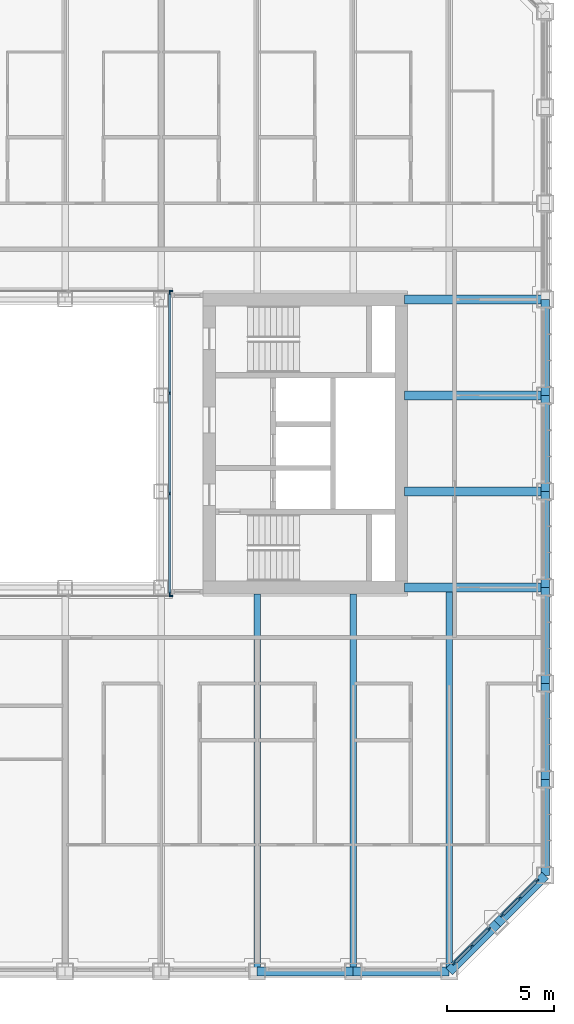
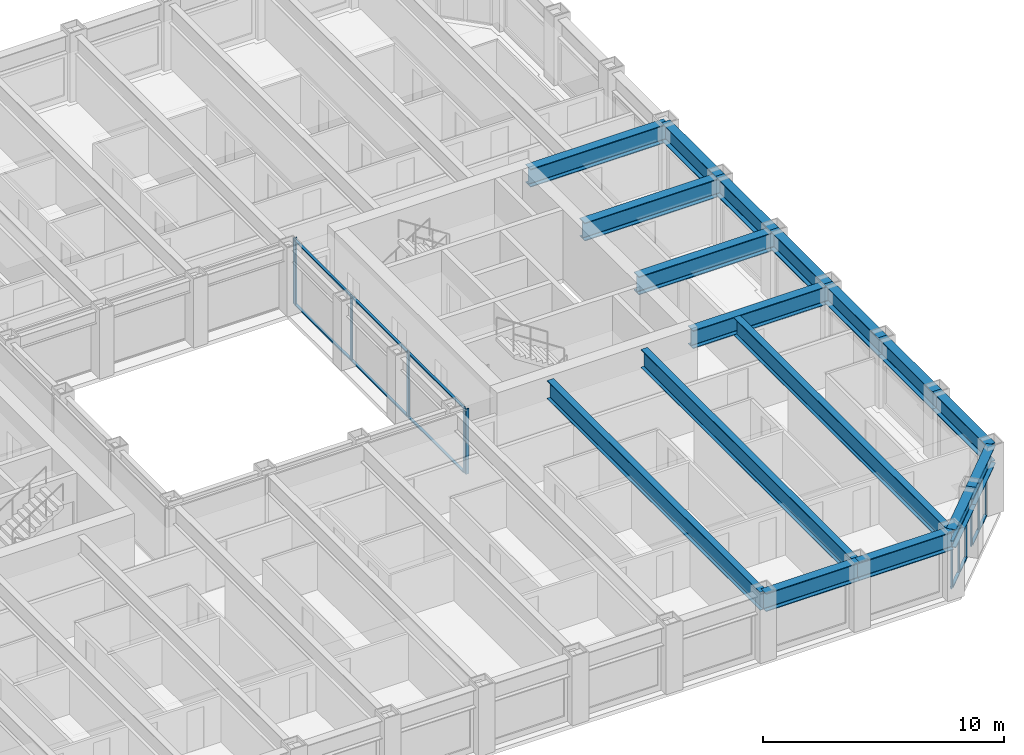
# One storey, part 5 of 21: 26 members, 17 beams, 5 elements without a shape of their own.
"""IFC4 building model written with IfcOpenShell, lengths in metres."""

from ifc_helpers import new_model, si_unit, direction, frame, origin, origin_2d, place, context, subcontext, project, spatial, rectangle, i_section, extrude, material, material_profile, profile_set, type_object, element, aggregate, save


model = new_model("IFC4")

# Units and contexts
model_context = context("Model", 3, precision=1e-05, world=origin(), true_north=direction((0.0, 1.0)))
body_context = subcontext(model_context, "Body", "Model", "MODEL_VIEW")
ifc_project = project(units=[si_unit("LENGTHUNIT", "METRE"), si_unit("AREAUNIT", "SQUARE_METRE"), si_unit("VOLUMEUNIT", "CUBIC_METRE"), si_unit("PLANEANGLEUNIT", "RADIAN"), si_unit("MASSUNIT", "GRAM", prefix="KILO")], contexts=[model_context])

# Site, building, storey
site_placement = place(None, origin())
site = spatial("IfcSite", under=ifc_project, at=site_placement, CompositionType="ELEMENT")
building_placement = place(site_placement, origin())
building = spatial("IfcBuilding", under=site, at=building_placement, Name="Msasa Ring Tower", CompositionType="ELEMENT")
storey_placement = place(building_placement, frame((0.0, 0.0, 72.0)))
storey = spatial("IfcBuildingStorey", under=building, at=storey_placement, Name="L18", CompositionType="ELEMENT", Elevation=72.0)

# Curtain wall, members
ifc_material_1 = material(Name="Aluminium curtain wall with clear glass", Category="aluminium")
curtain_wall_type_1 = type_object("IfcCurtainWallType", Name="CW-C CHAMFER CORNER CURTAIN WALL", PredefinedType="NOTDEFINED", material=ifc_material_1)
curtain_wall_1_placement = place(storey_placement, origin())
curtain_wall_1 = element("IfcCurtainWall", 1, at=curtain_wall_1_placement, inside=storey, type_object=curtain_wall_type_1, Name="Chamfer corner curtain wall SE L18", PredefinedType="NOTDEFINED")
ifc_material_2 = material(Name="Aluminium mullion", Category="aluminium")
ifc_material_profile_1 = material_profile(ifc_material_2, rectangle(XDim=0.06494140625, YDim=0.179931640625, at=origin_2d()), Name="AL 65x180")
ifc_profile_set_1 = profile_set([ifc_material_profile_1], Name="Aluminium mullion")
member_type_1 = type_object("IfcMemberType", Name="CW-C MULLION 65x180", PredefinedType="MULLION", material=ifc_profile_set_1)
member_1_placement = place(storey_placement, frame((20.48876953125, -24.369873046875, 0.0), z_axis=(0.0, 0.0, 1.0), x_axis=(-0.707106781187, 0.707106781187, 0.0)))
member_1 = element("IfcMember", 2, at=member_1_placement, type_object=member_type_1, Name="CW-C mullion 1", PredefinedType="MULLION", context=body_context, shape_type="SweptSolid", body=[
    extrude(rectangle(XDim=0.06494140625, YDim=0.179931640625, at=origin_2d()), origin(), (0.0, 0.0, 1.0), 2.37890625),
])
member_2_placement = place(storey_placement, frame((21.30419921875, -23.55419921875, 0.0), z_axis=(0.0, 0.0, 1.0), x_axis=(-0.707106781187, 0.707106781187, 0.0)))
member_2 = element("IfcMember", 3, at=member_2_placement, type_object=member_type_1, Name="CW-C mullion 2", PredefinedType="MULLION", context=body_context, shape_type="SweptSolid", body=[
    extrude(rectangle(XDim=0.06494140625, YDim=0.179931640625, at=origin_2d()), origin(), (0.0, 0.0, 1.0), 2.37890625),
])
member_3_placement = place(storey_placement, frame((22.119873046875, -22.73876953125, 0.0), z_axis=(0.0, 0.0, 1.0), x_axis=(-0.707106781187, 0.707106781187, 0.0)))
member_3 = element("IfcMember", 4, at=member_3_placement, type_object=member_type_1, Name="CW-C mullion 3", PredefinedType="MULLION", context=body_context, shape_type="SweptSolid", body=[
    extrude(rectangle(XDim=0.06494140625, YDim=0.179931640625, at=origin_2d()), origin(), (0.0, 0.0, 1.0), 2.37890625),
])

curtain_wall_2_placement = place(storey_placement, origin())
curtain_wall_2 = element("IfcCurtainWall", 5, at=curtain_wall_2_placement, inside=storey, type_object=curtain_wall_type_1, Name="Chamfer corner curtain wall SE L18", PredefinedType="NOTDEFINED")
member_4_placement = place(storey_placement, frame((22.73876953125, -22.119873046875, 0.0), z_axis=(0.0, 0.0, 1.0), x_axis=(-0.707106781187, 0.707106781187, 0.0)))
member_4 = element("IfcMember", 6, at=member_4_placement, type_object=member_type_1, Name="CW-C mullion 1", PredefinedType="MULLION", context=body_context, shape_type="SweptSolid", body=[
    extrude(rectangle(XDim=0.06494140625, YDim=0.179931640625, at=origin_2d()), origin(), (0.0, 0.0, 1.0), 2.37890625),
])
member_5_placement = place(storey_placement, frame((23.55419921875, -21.30419921875, 0.0), z_axis=(0.0, 0.0, 1.0), x_axis=(-0.707106781187, 0.707106781187, 0.0)))
member_5 = element("IfcMember", 7, at=member_5_placement, type_object=member_type_1, Name="CW-C mullion 2", PredefinedType="MULLION", context=body_context, shape_type="SweptSolid", body=[
    extrude(rectangle(XDim=0.06494140625, YDim=0.179931640625, at=origin_2d()), origin(), (0.0, 0.0, 1.0), 2.37890625),
])
member_6_placement = place(storey_placement, frame((24.369873046875, -20.48876953125, 0.0), z_axis=(0.0, 0.0, 1.0), x_axis=(-0.707106781187, 0.707106781187, 0.0)))
member_6 = element("IfcMember", 8, at=member_6_placement, type_object=member_type_1, Name="CW-C mullion 3", PredefinedType="MULLION", context=body_context, shape_type="SweptSolid", body=[
    extrude(rectangle(XDim=0.06494140625, YDim=0.179931640625, at=origin_2d()), origin(), (0.0, 0.0, 1.0), 2.37890625),
])

# Member
ifc_material_3 = material(Name="Aluminium transom", Category="aluminium")
ifc_material_profile_2 = material_profile(ifc_material_3, rectangle(XDim=0.139892578125, YDim=0.06494140625, at=origin_2d()), Name="AL 65x140")
ifc_profile_set_2 = profile_set([ifc_material_profile_2], Name="Aluminium transom")
member_type_2 = type_object("IfcMemberType", Name="CW-C TRANSOM 65x140", PredefinedType="USERDEFINED", material=ifc_profile_set_2)
member_7_placement = place(storey_placement, frame((20.51171875, -24.346923828125, 0.032470703125), z_axis=(0.707106781187, 0.707106781187, 0.0), x_axis=(-0.707106781187, 0.707106781187, 0.0)))
member_7 = element("IfcMember", 9, at=member_7_placement, type_object=member_type_2, Name="CW-C transom 1.1", ObjectType="TRANSOM", PredefinedType="USERDEFINED", context=body_context, shape_type="SweptSolid", body=[
    extrude(rectangle(XDim=0.139892578125, YDim=0.06494140625, at=origin_2d()), origin(), (0.0, 0.0, 1.0), 1.08837890625),
])

member_8_placement = place(storey_placement, frame((20.51171875, -24.346923828125, 2.346435546875), z_axis=(0.707106781187, 0.707106781187, 0.0), x_axis=(-0.707106781187, 0.707106781187, 0.0)))
member_8 = element("IfcMember", 10, at=member_8_placement, type_object=member_type_2, Name="CW-C transom 1.2", ObjectType="TRANSOM", PredefinedType="USERDEFINED", context=body_context, shape_type="SweptSolid", body=[
    extrude(rectangle(XDim=0.139892578125, YDim=0.06494140625, at=origin_2d()), origin(), (0.0, 0.0, 1.0), 1.08837890625),
])

member_9_placement = place(storey_placement, frame((21.327392578125, -23.53125, 0.032470703125), z_axis=(0.707106781187, 0.707106781187, 0.0), x_axis=(-0.707106781187, 0.707106781187, 0.0)))
member_9 = element("IfcMember", 11, at=member_9_placement, type_object=member_type_2, Name="CW-C transom 2.1", ObjectType="TRANSOM", PredefinedType="USERDEFINED", context=body_context, shape_type="SweptSolid", body=[
    extrude(rectangle(XDim=0.139892578125, YDim=0.06494140625, at=origin_2d()), origin(), (0.0, 0.0, 1.0), 1.08837890625),
])

member_10_placement = place(storey_placement, frame((21.327392578125, -23.53125, 2.346435546875), z_axis=(0.707106781187, 0.707106781187, 0.0), x_axis=(-0.707106781187, 0.707106781187, 0.0)))
member_10 = element("IfcMember", 12, at=member_10_placement, type_object=member_type_2, Name="CW-C transom 2.2", ObjectType="TRANSOM", PredefinedType="USERDEFINED", context=body_context, shape_type="SweptSolid", body=[
    extrude(rectangle(XDim=0.139892578125, YDim=0.06494140625, at=origin_2d()), origin(), (0.0, 0.0, 1.0), 1.08837890625),
])

aggregate(curtain_wall_1, [member_1, member_2, member_3, member_7, member_8, member_9, member_10])

member_11_placement = place(storey_placement, frame((22.76171875, -22.096923828125, 0.032470703125), z_axis=(0.707106781187, 0.707106781187, 0.0), x_axis=(-0.707106781187, 0.707106781187, 0.0)))
member_11 = element("IfcMember", 13, at=member_11_placement, type_object=member_type_2, Name="CW-C transom 1.1", ObjectType="TRANSOM", PredefinedType="USERDEFINED", context=body_context, shape_type="SweptSolid", body=[
    extrude(rectangle(XDim=0.139892578125, YDim=0.06494140625, at=origin_2d()), origin(), (0.0, 0.0, 1.0), 1.08837890625),
])

member_12_placement = place(storey_placement, frame((22.76171875, -22.096923828125, 2.346435546875), z_axis=(0.707106781187, 0.707106781187, 0.0), x_axis=(-0.707106781187, 0.707106781187, 0.0)))
member_12 = element("IfcMember", 14, at=member_12_placement, type_object=member_type_2, Name="CW-C transom 1.2", ObjectType="TRANSOM", PredefinedType="USERDEFINED", context=body_context, shape_type="SweptSolid", body=[
    extrude(rectangle(XDim=0.139892578125, YDim=0.06494140625, at=origin_2d()), origin(), (0.0, 0.0, 1.0), 1.08837890625),
])

member_13_placement = place(storey_placement, frame((23.577392578125, -21.28125, 0.032470703125), z_axis=(0.707106781187, 0.707106781187, 0.0), x_axis=(-0.707106781187, 0.707106781187, 0.0)))
member_13 = element("IfcMember", 15, at=member_13_placement, type_object=member_type_2, Name="CW-C transom 2.1", ObjectType="TRANSOM", PredefinedType="USERDEFINED", context=body_context, shape_type="SweptSolid", body=[
    extrude(rectangle(XDim=0.139892578125, YDim=0.06494140625, at=origin_2d()), origin(), (0.0, 0.0, 1.0), 1.08837890625),
])

member_14_placement = place(storey_placement, frame((23.577392578125, -21.28125, 2.346435546875), z_axis=(0.707106781187, 0.707106781187, 0.0), x_axis=(-0.707106781187, 0.707106781187, 0.0)))
member_14 = element("IfcMember", 16, at=member_14_placement, type_object=member_type_2, Name="CW-C transom 2.2", ObjectType="TRANSOM", PredefinedType="USERDEFINED", context=body_context, shape_type="SweptSolid", body=[
    extrude(rectangle(XDim=0.139892578125, YDim=0.06494140625, at=origin_2d()), origin(), (0.0, 0.0, 1.0), 1.08837890625),
])

aggregate(curtain_wall_2, [member_4, member_5, member_6, member_11, member_12, member_13, member_14])

# Curtain wall, member
ifc_material_4 = material(Name="Aluminium curtain wall with clear glass", Category="aluminium")
curtain_wall_type_2 = type_object("IfcCurtainWallType", Name="CW-W LIGHT WELL CURTAIN WALL", PredefinedType="NOTDEFINED", material=ifc_material_4)
curtain_wall_3_placement = place(storey_placement, origin())
curtain_wall_3 = element("IfcCurtainWall", 17, at=curtain_wall_3_placement, inside=storey, type_object=curtain_wall_type_2, Name="Light well curtain wall N L18", PredefinedType="NOTDEFINED")
ifc_material_5 = material(Name="Aluminium mullion", Category="aluminium")
ifc_material_profile_3 = material_profile(ifc_material_5, rectangle(XDim=0.06005859375, YDim=0.159912109375, at=origin_2d()), Name="AL 60x160")
ifc_profile_set_3 = profile_set([ifc_material_profile_3], Name="Aluminium mullion")
member_type_3 = type_object("IfcMemberType", Name="CW-W MULLION 60x160", PredefinedType="MULLION", material=ifc_profile_set_3)
member_15_placement = place(storey_placement, frame((7.199951171875, 7.14990234375, 0.0), z_axis=(0.0, 0.0, 1.0), x_axis=(0.0, 1.0, 0.0)))
member_15 = element("IfcMember", 18, at=member_15_placement, type_object=member_type_3, Name="CW-W mullion 4", PredefinedType="MULLION", context=body_context, shape_type="SweptSolid", body=[
    extrude(rectangle(XDim=0.06005859375, YDim=0.159912109375, at=origin_2d()), origin(), (0.0, 0.0, 1.0), 3.300048828125),
])
aggregate(curtain_wall_3, [member_15])

curtain_wall_4_placement = place(storey_placement, origin())
curtain_wall_4 = element("IfcCurtainWall", 19, at=curtain_wall_4_placement, inside=storey, type_object=curtain_wall_type_2, Name="Light well curtain wall S L18", PredefinedType="NOTDEFINED")
member_16_placement = place(storey_placement, frame((7.199951171875, -7.14990234375, 0.0), z_axis=(0.0, 0.0, 1.0), x_axis=(0.0, 1.0, 0.0)))
member_16 = element("IfcMember", 20, at=member_16_placement, type_object=member_type_3, Name="CW-W mullion 4", PredefinedType="MULLION", context=body_context, shape_type="SweptSolid", body=[
    extrude(rectangle(XDim=0.06005859375, YDim=0.159912109375, at=origin_2d()), origin(), (0.0, 0.0, 1.0), 3.300048828125),
])
aggregate(curtain_wall_4, [member_16])

# Curtain wall, members
curtain_wall_5_placement = place(storey_placement, origin())
curtain_wall_5 = element("IfcCurtainWall", 21, at=curtain_wall_5_placement, inside=storey, type_object=curtain_wall_type_2, Name="Light well curtain wall E L18", PredefinedType="NOTDEFINED")
member_17_placement = place(storey_placement, frame((7.14990234375, -7.0400390625, 0.0), z_axis=(0.0, 0.0, 1.0), x_axis=(-1.0, 0.0, 0.0)))
member_17 = element("IfcMember", 22, at=member_17_placement, type_object=member_type_3, Name="CW-W mullion 1", PredefinedType="MULLION", context=body_context, shape_type="SweptSolid", body=[
    extrude(rectangle(XDim=0.06005859375, YDim=0.159912109375, at=origin_2d()), origin(), (0.0, 0.0, 1.0), 3.300048828125),
])
member_18_placement = place(storey_placement, frame((7.14990234375, -2.356689453125, 0.0), z_axis=(0.0, 0.0, 1.0), x_axis=(-1.0, 0.0, 0.0)))
member_18 = element("IfcMember", 23, at=member_18_placement, type_object=member_type_3, Name="CW-W mullion 2", PredefinedType="MULLION", context=body_context, shape_type="SweptSolid", body=[
    extrude(rectangle(XDim=0.06005859375, YDim=0.159912109375, at=origin_2d()), origin(), (0.0, 0.0, 1.0), 3.300048828125),
])
member_19_placement = place(storey_placement, frame((7.14990234375, 2.356689453125, 0.0), z_axis=(0.0, 0.0, 1.0), x_axis=(-1.0, 0.0, 0.0)))
member_19 = element("IfcMember", 24, at=member_19_placement, type_object=member_type_3, Name="CW-W mullion 3", PredefinedType="MULLION", context=body_context, shape_type="SweptSolid", body=[
    extrude(rectangle(XDim=0.06005859375, YDim=0.159912109375, at=origin_2d()), origin(), (0.0, 0.0, 1.0), 3.300048828125),
])
member_20_placement = place(storey_placement, frame((7.14990234375, 7.0400390625, 0.0), z_axis=(0.0, 0.0, 1.0), x_axis=(-1.0, 0.0, 0.0)))
member_20 = element("IfcMember", 25, at=member_20_placement, type_object=member_type_3, Name="CW-W mullion 4", PredefinedType="MULLION", context=body_context, shape_type="SweptSolid", body=[
    extrude(rectangle(XDim=0.06005859375, YDim=0.159912109375, at=origin_2d()), origin(), (0.0, 0.0, 1.0), 3.300048828125),
])
ifc_material_6 = material(Name="Aluminium transom", Category="aluminium")
ifc_material_profile_4 = material_profile(ifc_material_6, rectangle(XDim=0.1201171875, YDim=0.06005859375, at=origin_2d()), Name="AL 60x120")
ifc_profile_set_4 = profile_set([ifc_material_profile_4], Name="Aluminium transom")
member_type_4 = type_object("IfcMemberType", Name="CW-W TRANSOM 60x120", PredefinedType="USERDEFINED", material=ifc_profile_set_4)
member_21_placement = place(storey_placement, frame((7.14990234375, -7.010009765625, 0.030029296875), z_axis=(0.0, 1.0, 0.0), x_axis=(-1.0, 0.0, 0.0)))
member_21 = element("IfcMember", 26, at=member_21_placement, type_object=member_type_4, Name="CW-W transom 1.1", ObjectType="TRANSOM", PredefinedType="USERDEFINED", context=body_context, shape_type="SweptSolid", body=[
    extrude(rectangle(XDim=0.1201171875, YDim=0.06005859375, at=origin_2d()), origin(), (0.0, 0.0, 1.0), 4.623291015625),
])
member_22_placement = place(storey_placement, frame((7.14990234375, -7.010009765625, 3.27001953125), z_axis=(0.0, 1.0, 0.0), x_axis=(-1.0, 0.0, 0.0)))
member_22 = element("IfcMember", 27, at=member_22_placement, type_object=member_type_4, Name="CW-W transom 1.2", ObjectType="TRANSOM", PredefinedType="USERDEFINED", context=body_context, shape_type="SweptSolid", body=[
    extrude(rectangle(XDim=0.1201171875, YDim=0.06005859375, at=origin_2d()), origin(), (0.0, 0.0, 1.0), 4.623291015625),
])
member_23_placement = place(storey_placement, frame((7.14990234375, -2.32666015625, 0.030029296875), z_axis=(0.0, 1.0, 0.0), x_axis=(-1.0, 0.0, 0.0)))
member_23 = element("IfcMember", 28, at=member_23_placement, type_object=member_type_4, Name="CW-W transom 2.1", ObjectType="TRANSOM", PredefinedType="USERDEFINED", context=body_context, shape_type="SweptSolid", body=[
    extrude(rectangle(XDim=0.1201171875, YDim=0.06005859375, at=origin_2d()), origin(), (0.0, 0.0, 1.0), 4.6533203125),
])
member_24_placement = place(storey_placement, frame((7.14990234375, -2.32666015625, 3.27001953125), z_axis=(0.0, 1.0, 0.0), x_axis=(-1.0, 0.0, 0.0)))
member_24 = element("IfcMember", 29, at=member_24_placement, type_object=member_type_4, Name="CW-W transom 2.2", ObjectType="TRANSOM", PredefinedType="USERDEFINED", context=body_context, shape_type="SweptSolid", body=[
    extrude(rectangle(XDim=0.1201171875, YDim=0.06005859375, at=origin_2d()), origin(), (0.0, 0.0, 1.0), 4.6533203125),
])
member_25_placement = place(storey_placement, frame((7.14990234375, 2.38671875, 0.030029296875), z_axis=(0.0, 1.0, 0.0), x_axis=(-1.0, 0.0, 0.0)))
member_25 = element("IfcMember", 30, at=member_25_placement, type_object=member_type_4, Name="CW-W transom 3.1", ObjectType="TRANSOM", PredefinedType="USERDEFINED", context=body_context, shape_type="SweptSolid", body=[
    extrude(rectangle(XDim=0.1201171875, YDim=0.06005859375, at=origin_2d()), origin(), (0.0, 0.0, 1.0), 4.623291015625),
])
member_26_placement = place(storey_placement, frame((7.14990234375, 2.38671875, 3.27001953125), z_axis=(0.0, 1.0, 0.0), x_axis=(-1.0, 0.0, 0.0)))
member_26 = element("IfcMember", 31, at=member_26_placement, type_object=member_type_4, Name="CW-W transom 3.2", ObjectType="TRANSOM", PredefinedType="USERDEFINED", context=body_context, shape_type="SweptSolid", body=[
    extrude(rectangle(XDim=0.1201171875, YDim=0.06005859375, at=origin_2d()), origin(), (0.0, 0.0, 1.0), 4.623291015625),
])
aggregate(curtain_wall_5, [member_17, member_18, member_19, member_20, member_21, member_22, member_23, member_24, member_25, member_26])

# Beams
ifc_material_7 = material(Name="Steel S355", Category="steel")
ifc_material_profile_5 = material_profile(ifc_material_7, i_section(OverallWidth=0.42041015625, OverallDepth=0.9208984375, WebThickness=0.021484375, FlangeThickness=0.03662109375, FilletRadius=0.024169921875, at=origin_2d()), Name="UB 914x419x388")
ifc_profile_set_5 = profile_set([ifc_material_profile_5], Name="Steel S355")
beam_type_1 = type_object("IfcBeamType", Name="FB2 UB 914x419x388", PredefinedType="BEAM", material=ifc_profile_set_5)
for number, where, z_axis, x_axis, name in (
    (32, (24.75, -2.25, 2.839599609375), (-1.0, 0.0, 0.0), (0.0, -1.0, 0.0), "Floor beam E -2.25 under L19"),
    (33, (24.75, 2.25, 2.839599609375), (-1.0, 0.0, 0.0), (0.0, -1.0, 0.0), "Floor beam E +2.25 under L19"),
):
    element("IfcBeam", number, at=place(storey_placement, frame(where, z_axis=z_axis, x_axis=x_axis)), inside=storey, type_object=beam_type_1, Name=name, PredefinedType="BEAM", context=body_context, shape_type="SweptSolid", body=[
        extrude(i_section(OverallWidth=0.42041015625, OverallDepth=0.9208984375, WebThickness=0.021484375, FlangeThickness=0.03662109375, FilletRadius=0.024169921875, at=origin_2d()), origin(), (0.0, 0.0, 1.0), 6.60009765625),
    ])
ifc_material_8 = material(Name="Steel S355", Category="steel")
ifc_material_profile_6 = material_profile(ifc_material_8, i_section(OverallWidth=0.3076171875, OverallDepth=0.926513671875, WebThickness=0.01953125, FlangeThickness=0.031982421875, FilletRadius=0.01904296875, at=origin_2d()), Name="UB 914x305x289")
ifc_profile_set_6 = profile_set([ifc_material_profile_6], Name="Steel S355")
beam_type_2 = type_object("IfcBeamType", Name="FB3 UB 914x305x289", PredefinedType="BEAM", material=ifc_profile_set_6)
for number, where, z_axis, x_axis, name in (
    (34, (11.25, -24.75, 2.836669921875), (0.0, 1.0, 0.0), (-1.0, 0.0, 0.0), "Floor beam S+11.25 under L19"),
    (35, (15.75, -24.75, 2.836669921875), (0.0, 1.0, 0.0), (-1.0, 0.0, 0.0), "Floor beam S+15.75 under L19"),
):
    element("IfcBeam", number, at=place(storey_placement, frame(where, z_axis=z_axis, x_axis=x_axis)), inside=storey, type_object=beam_type_2, Name=name, PredefinedType="BEAM", context=body_context, shape_type="SweptSolid", body=[
        extrude(i_section(OverallWidth=0.3076171875, OverallDepth=0.926513671875, WebThickness=0.01953125, FlangeThickness=0.031982421875, FilletRadius=0.01904296875, at=origin_2d()), origin(), (0.0, 0.0, 1.0), 17.699951171875),
    ])
beam_placement = place(storey_placement, frame((20.25, -24.75, 2.836669921875), z_axis=(0.0, 1.0, 0.0), x_axis=(-1.0, 0.0, 0.0)))
element("IfcBeam", 36, at=beam_placement, inside=storey, type_object=beam_type_2, Name="Floor beam S+20.25 under L19", PredefinedType="BEAM", context=body_context, shape_type="SweptSolid", body=[
    extrude(i_section(OverallWidth=0.3076171875, OverallDepth=0.926513671875, WebThickness=0.01953125, FlangeThickness=0.031982421875, FilletRadius=0.01904296875, at=origin_2d()), origin(), (0.0, 0.0, 1.0), 17.789794921875),
])
ifc_material_9 = material(Name="Steel S355", Category="steel")
ifc_material_profile_7 = material_profile(ifc_material_9, i_section(OverallWidth=0.42041015625, OverallDepth=0.9208984375, WebThickness=0.021484375, FlangeThickness=0.03662109375, FilletRadius=0.024169921875, at=origin_2d()), Name="UB 914x419x388")
ifc_profile_set_7 = profile_set([ifc_material_profile_7], Name="Steel S355")
beam_type_3 = type_object("IfcBeamType", Name="GB1 UB 914x419x388", PredefinedType="BEAM", material=ifc_profile_set_7)
for number, where, z_axis, x_axis, name in (
    (37, (18.14990234375, 6.75, 2.839599609375), (1.0, 0.0, 0.0), (0.0, 1.0, 0.0), "Girder E +6.75 under L19"),
    (38, (18.14990234375, -6.75, 2.839599609375), (1.0, 0.0, 0.0), (0.0, 1.0, 0.0), "Girder E -6.75 under L19"),
):
    element("IfcBeam", number, at=place(storey_placement, frame(where, z_axis=z_axis, x_axis=x_axis)), inside=storey, type_object=beam_type_3, Name=name, PredefinedType="BEAM", context=body_context, shape_type="SweptSolid", body=[
        extrude(i_section(OverallWidth=0.42041015625, OverallDepth=0.9208984375, WebThickness=0.021484375, FlangeThickness=0.03662109375, FilletRadius=0.024169921875, at=origin_2d()), origin(), (0.0, 0.0, 1.0), 6.60009765625),
    ])
ifc_material_10 = material(Name="Steel S355", Category="steel")
ifc_material_profile_8 = material_profile(ifc_material_10, i_section(OverallWidth=0.42041015625, OverallDepth=0.9208984375, WebThickness=0.021484375, FlangeThickness=0.03662109375, FilletRadius=0.024169921875, at=origin_2d()), Name="UB 914x419x388")
ifc_profile_set_8 = profile_set([ifc_material_profile_8], Name="Steel S355")
beam_type_4 = type_object("IfcBeamType", Name="SB1 UB 914x419x388", PredefinedType="SPANDREL", material=ifc_profile_set_8)
for number, where, z_axis, x_axis, name in (
    (39, (11.25, -24.75, 2.839599609375), (1.0, 0.0, 0.0), (0.0, 1.0, 0.0), "Spandrel S+11.25 to S+15.75 under L19"),
    (40, (15.75, -24.75, 2.839599609375), (1.0, 0.0, 0.0), (0.0, 1.0, 0.0), "Spandrel S+15.75 to S+20.25 under L19"),
):
    element("IfcBeam", number, at=place(storey_placement, frame(where, z_axis=z_axis, x_axis=x_axis)), inside=storey, type_object=beam_type_4, Name=name, PredefinedType="SPANDREL", context=body_context, shape_type="SweptSolid", body=[
        extrude(i_section(OverallWidth=0.42041015625, OverallDepth=0.9208984375, WebThickness=0.021484375, FlangeThickness=0.03662109375, FilletRadius=0.024169921875, at=origin_2d()), origin(), (0.0, 0.0, 1.0), 4.5),
    ])
for number, where, z_axis, x_axis, name in (
    (41, (20.25, -24.75, 2.839599609375), (0.707106781187, 0.707106781187, 0.0), (-0.707106781187, 0.707106781187, 0.0), "Spandrel S+20.25 to SE under L19"),
    (42, (22.5, -22.5, 2.839599609375), (0.707106781187, 0.707106781187, 0.0), (-0.707106781187, 0.707106781187, 0.0), "Spandrel SE to E-20.25 under L19"),
):
    element("IfcBeam", number, at=place(storey_placement, frame(where, z_axis=z_axis, x_axis=x_axis)), inside=storey, type_object=beam_type_4, Name=name, PredefinedType="SPANDREL", context=body_context, shape_type="SweptSolid", body=[
        extrude(i_section(OverallWidth=0.42041015625, OverallDepth=0.9208984375, WebThickness=0.021484375, FlangeThickness=0.03662109375, FilletRadius=0.024169921875, at=origin_2d()), origin(), (0.0, 0.0, 1.0), 3.181884765625),
    ])
for number, where, z_axis, x_axis, name in (
    (43, (24.75, -20.25, 2.839599609375), (0.0, 1.0, 0.0), (-1.0, 0.0, 0.0), "Spandrel E-20.25 to E-15.75 under L19"),
    (44, (24.75, -15.75, 2.839599609375), (0.0, 1.0, 0.0), (-1.0, 0.0, 0.0), "Spandrel E-15.75 to E-11.25 under L19"),
    (45, (24.75, -11.25, 2.839599609375), (0.0, 1.0, 0.0), (-1.0, 0.0, 0.0), "Spandrel E-11.25 to E-6.75 under L19"),
    (46, (24.75, -6.75, 2.839599609375), (0.0, 1.0, 0.0), (-1.0, 0.0, 0.0), "Spandrel E-6.75 to E-2.25 under L19"),
    (47, (24.75, -2.25, 2.839599609375), (0.0, 1.0, 0.0), (-1.0, 0.0, 0.0), "Spandrel E-2.25 to E+2.25 under L19"),
    (48, (24.75, 2.25, 2.839599609375), (0.0, 1.0, 0.0), (-1.0, 0.0, 0.0), "Spandrel E+2.25 to E+6.75 under L19"),
):
    element("IfcBeam", number, at=place(storey_placement, frame(where, z_axis=z_axis, x_axis=x_axis)), inside=storey, type_object=beam_type_4, Name=name, PredefinedType="SPANDREL", context=body_context, shape_type="SweptSolid", body=[
        extrude(i_section(OverallWidth=0.42041015625, OverallDepth=0.9208984375, WebThickness=0.021484375, FlangeThickness=0.03662109375, FilletRadius=0.024169921875, at=origin_2d()), origin(), (0.0, 0.0, 1.0), 4.5),
    ])

save(model, "model.ifc")
